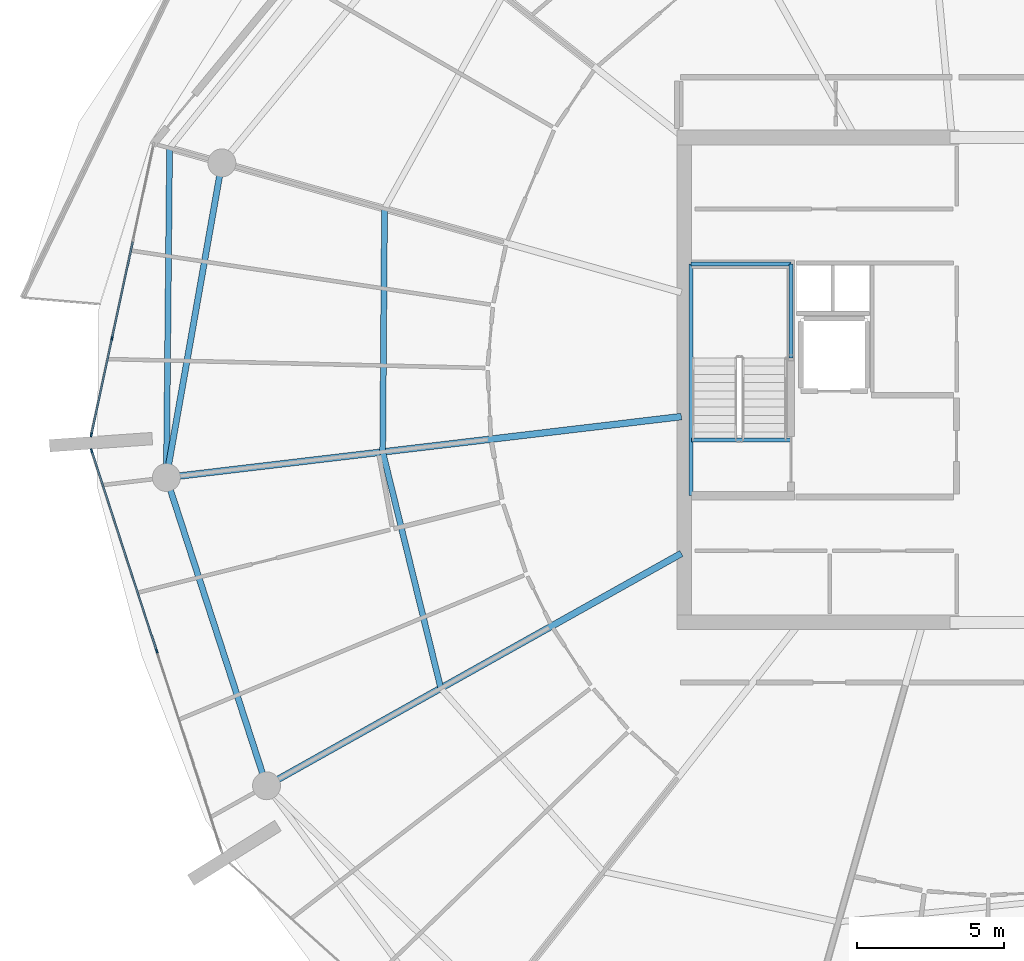
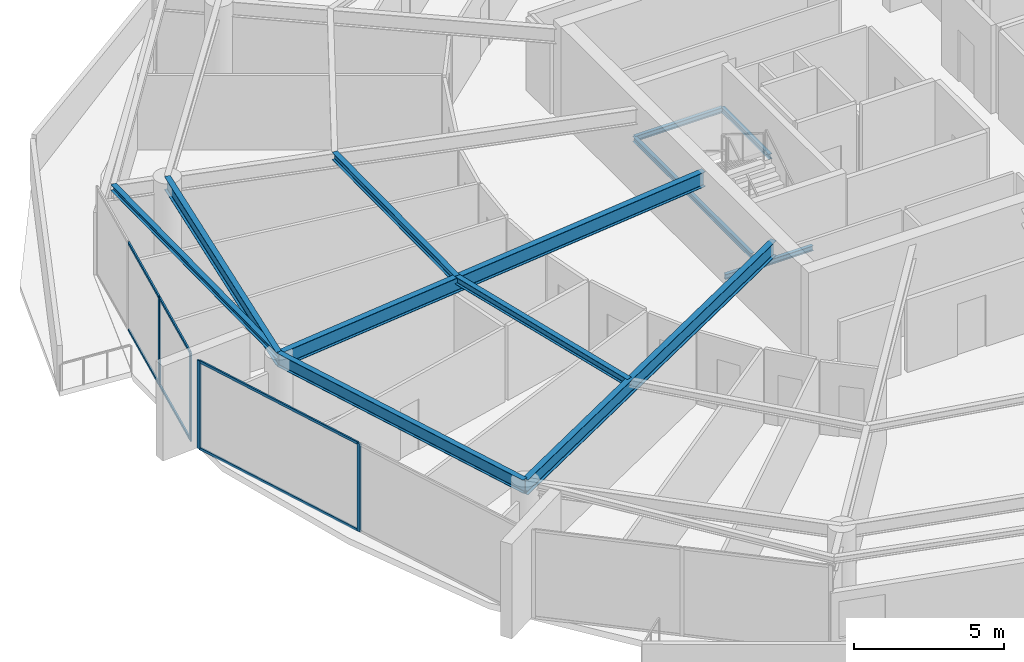
# One storey, part 8 of 30: 11 beams, 10 members, 2 elements without a shape of their own.
"""IFC4 building model written with IfcOpenShell, lengths in metres."""

from ifc_helpers import new_model, si_unit, direction, frame, origin, origin_2d, place, context, subcontext, project, spatial, rectangle, i_section, extrude, material, layer, layer_set, material_profile, profile_set, type_object, element, aggregate, save


model = new_model("IFC4")

# Units and contexts
model_context = context("Model", 3, precision=1e-05, world=origin(), true_north=direction((0.0, 1.0)))
body_context = subcontext(model_context, "Body", "Model", "MODEL_VIEW")
ifc_project = project(units=[si_unit("LENGTHUNIT", "METRE"), si_unit("AREAUNIT", "SQUARE_METRE"), si_unit("VOLUMEUNIT", "CUBIC_METRE"), si_unit("PLANEANGLEUNIT", "RADIAN"), si_unit("MASSUNIT", "GRAM", prefix="KILO")], contexts=[model_context])

# Site, building, storey
site_placement = place(None, origin())
site = spatial("IfcSite", under=ifc_project, at=site_placement, CompositionType="ELEMENT")
building_placement = place(site_placement, origin())
building = spatial("IfcBuilding", under=site, at=building_placement, Name="Kazma Halo Residences", CompositionType="ELEMENT")
storey_placement = place(building_placement, frame((0.0, 0.0, 290.60009765625)))
storey = spatial("IfcBuildingStorey", under=building, at=storey_placement, Name="L73", CompositionType="ELEMENT", Elevation=290.60009765625)

# Beams
ifc_material_1 = material(Name="Steel S355", Category="steel")
ifc_material_profile_1 = material_profile(ifc_material_1, i_section(OverallWidth=0.201904296875, OverallDepth=0.2470703125, WebThickness=0.00732421875, FlangeThickness=0.010986328125, FilletRadius=0.011962890625, at=origin_2d()), Name="W250x49.1")
ifc_profile_set_1 = profile_set([ifc_material_profile_1], Name="Steel S355")
beam_type_1 = type_object("IfcBeamType", Name="BM-BAL-CANT", PredefinedType="BEAM", material=ifc_profile_set_1)
beam_1_placement = place(storey_placement, frame((20.028564453125, 49.888916015625, 3.46630859375), z_axis=(-0.009645503464, -0.999953481049, 0.0), x_axis=(0.999953481049, -0.009645503464, 0.0)))
element("IfcBeam", 1, at=beam_1_placement, inside=storey, type_object=beam_type_1, Name="L73 wave-balcony tie beam 07", PredefinedType="BEAM", context=body_context, shape_type="SweptSolid", body=[
    extrude(i_section(OverallWidth=0.201904296875, OverallDepth=0.2470703125, WebThickness=0.00732421875, FlangeThickness=0.010986328125, FilletRadius=0.011962890625, at=origin_2d()), origin(), (0.0, 0.0, 1.0), 11.212890625),
])
ifc_material_profile_2 = material_profile(ifc_material_1, i_section(OverallWidth=0.22802734375, OverallDepth=0.60791015625, WebThickness=0.01123046875, FlangeThickness=0.017333984375, FilletRadius=0.01806640625, at=origin_2d()), Name="W610x113")
ifc_profile_set_2 = profile_set([ifc_material_profile_2], Name="Steel S355")
beam_type_2 = type_object("IfcBeamType", Name="BM-RAD-W610", PredefinedType="BEAM", material=ifc_profile_set_2)
beam_2_placement = place(storey_placement, frame((37.449951171875, 40.751220703125, 3.285888671875), z_axis=(-0.993068793341, -0.11753455531, 0.0), x_axis=(0.11753455531, -0.993068793341, 0.0)))
element("IfcBeam", 2, at=beam_2_placement, inside=storey, type_object=beam_type_2, Name="L73 radial floor beam 08", PredefinedType="BEAM", context=body_context, shape_type="SweptSolid", body=[
    extrude(i_section(OverallWidth=0.22802734375, OverallDepth=0.60791015625, WebThickness=0.01123046875, FlangeThickness=0.017333984375, FilletRadius=0.01806640625, at=origin_2d()), origin(), (0.0, 0.0, 1.0), 17.65185546875),
])
beam_3_placement = place(storey_placement, frame((37.449951171875, 36.091796875, 3.285888671875), z_axis=(-0.872497784052, -0.488618068459, 0.0), x_axis=(0.488618068459, -0.872497784052, 0.0)))
element("IfcBeam", 3, at=beam_3_placement, inside=storey, type_object=beam_type_2, Name="L73 radial floor beam 09", PredefinedType="BEAM", context=body_context, shape_type="SweptSolid", body=[
    extrude(i_section(OverallWidth=0.22802734375, OverallDepth=0.60791015625, WebThickness=0.01123046875, FlangeThickness=0.017333984375, FilletRadius=0.01806640625, at=origin_2d()), origin(), (0.0, 0.0, 1.0), 16.183837890625),
])
ifc_material_profile_3 = material_profile(ifc_material_1, i_section(OverallWidth=0.202880859375, OverallDepth=0.302978515625, WebThickness=0.007568359375, FlangeThickness=0.01318359375, FilletRadius=0.013916015625, at=origin_2d()), Name="W310x60")
ifc_profile_set_3 = profile_set([ifc_material_profile_3], Name="Steel S355")
beam_type_3 = type_object("IfcBeamType", Name="BM-SEC-W310A", PredefinedType="JOIST", material=ifc_profile_set_3)
beam_4_placement = place(storey_placement, frame((27.345458984375, 47.8251953125, 3.4384765625), z_axis=(-0.007550738936, -0.999971492764, 0.0), x_axis=(0.999971492764, -0.007550738936, 0.0)))
element("IfcBeam", 4, at=beam_4_placement, inside=storey, type_object=beam_type_3, Name="L73 circumferential floor joist 07", PredefinedType="JOIST", context=body_context, shape_type="SweptSolid", body=[
    extrude(i_section(OverallWidth=0.202880859375, OverallDepth=0.302978515625, WebThickness=0.007568359375, FlangeThickness=0.01318359375, FilletRadius=0.013916015625, at=origin_2d()), origin(), (0.0, 0.0, 1.0), 8.27734375),
])
beam_5_placement = place(storey_placement, frame((27.282958984375, 39.548095703125, 3.4384765625), z_axis=(0.238732984375, -0.971085249693, 0.0), x_axis=(0.971085249693, 0.238732984375, 0.0)))
element("IfcBeam", 5, at=beam_5_placement, inside=storey, type_object=beam_type_3, Name="L73 circumferential floor joist 08", PredefinedType="JOIST", context=body_context, shape_type="SweptSolid", body=[
    extrude(i_section(OverallWidth=0.202880859375, OverallDepth=0.302978515625, WebThickness=0.007568359375, FlangeThickness=0.01318359375, FilletRadius=0.013916015625, at=origin_2d()), origin(), (0.0, 0.0, 1.0), 8.282470703125),
])
ifc_material_profile_4 = material_profile(ifc_material_1, i_section(OverallWidth=0.208984375, OverallDepth=0.532958984375, WebThickness=0.01025390625, FlangeThickness=0.015625, FilletRadius=0.01611328125, at=origin_2d()), Name="W530x92")
ifc_profile_set_4 = profile_set([ifc_material_profile_4], Name="Steel S355")
beam_type_4 = type_object("IfcBeamType", Name="BM-SPN-W530", PredefinedType="BEAM", material=ifc_profile_set_4)
beam_6_placement = place(storey_placement, frame((21.80908203125, 49.38671875, 3.323486328125), z_axis=(-0.173663672311, -0.984805020763, 0.0), x_axis=(0.984805020763, -0.173663672311, 0.0)))
element("IfcBeam", 6, at=beam_6_placement, inside=storey, type_object=beam_type_4, Name="L73 perimeter ring beam 07", PredefinedType="BEAM", context=body_context, shape_type="SweptSolid", body=[
    extrude(i_section(OverallWidth=0.208984375, OverallDepth=0.532958984375, WebThickness=0.01025390625, FlangeThickness=0.015625, FilletRadius=0.01611328125, at=origin_2d()), origin(), (0.0, 0.0, 1.0), 10.87548828125),
])
beam_7_placement = place(storey_placement, frame((19.92041015625, 38.676513671875, 3.323486328125), z_axis=(0.309015517474, -0.951056996168, 0.0), x_axis=(0.951056996168, 0.309015517474, 0.0)))
element("IfcBeam", 7, at=beam_7_placement, inside=storey, type_object=beam_type_4, Name="L73 perimeter ring beam 08", PredefinedType="BEAM", context=body_context, shape_type="SweptSolid", body=[
    extrude(i_section(OverallWidth=0.208984375, OverallDepth=0.532958984375, WebThickness=0.01025390625, FlangeThickness=0.015625, FilletRadius=0.01611328125, at=origin_2d()), origin(), (0.0, 0.0, 1.0), 11.032470703125),
])
ifc_material_profile_5 = material_profile(ifc_material_1, i_section(OverallWidth=0.133056640625, OverallDepth=0.20703125, WebThickness=0.005859375, FlangeThickness=0.00830078125, FilletRadius=0.010009765625, at=origin_2d()), Name="W200x26.6")
ifc_profile_set_5 = profile_set([ifc_material_profile_5], Name="Steel S355")
beam_type_5 = type_object("IfcBeamType", Name="BM-TRIM-W200", PredefinedType="BEAM", material=ifc_profile_set_5)
beam_8_placement = place(storey_placement, frame((37.800048828125, 39.949951171875, -0.3701171875), z_axis=(1.0, 0.0, 0.0), x_axis=(0.0, 1.0, 0.0)))
element("IfcBeam", 8, at=beam_8_placement, inside=storey, type_object=beam_type_5, Name="L73 ST-01 floor landing support beam", PredefinedType="BEAM", context=body_context, shape_type="SweptSolid", body=[
    extrude(i_section(OverallWidth=0.133056640625, OverallDepth=0.20703125, WebThickness=0.005859375, FlangeThickness=0.00830078125, FilletRadius=0.010009765625, at=origin_2d()), origin(), (0.0, 0.0, 1.0), 3.3798828125),
])
beam_9_placement = place(storey_placement, frame((37.780029296875, 38.06005859375, 1.619873046875), z_axis=(0.0, 1.0, 0.0), x_axis=(-1.0, 0.0, 0.0)))
element("IfcBeam", 9, at=beam_9_placement, inside=storey, type_object=beam_type_5, Name="L73 ST-01 landing west wall ledger", PredefinedType="BEAM", context=body_context, shape_type="SweptSolid", body=[
    extrude(i_section(OverallWidth=0.133056640625, OverallDepth=0.20703125, WebThickness=0.005859375, FlangeThickness=0.00830078125, FilletRadius=0.010009765625, at=origin_2d()), origin(), (0.0, 0.0, 1.0), 7.8798828125),
])
beam_10_placement = place(storey_placement, frame((41.179931640625, 42.75, 1.619873046875), z_axis=(0.0, 1.0, 0.0), x_axis=(-1.0, 0.0, 0.0)))
element("IfcBeam", 10, at=beam_10_placement, inside=storey, type_object=beam_type_5, Name="L73 ST-01 landing east wall ledger", PredefinedType="BEAM", context=body_context, shape_type="SweptSolid", body=[
    extrude(i_section(OverallWidth=0.133056640625, OverallDepth=0.20703125, WebThickness=0.005859375, FlangeThickness=0.00830078125, FilletRadius=0.010009765625, at=origin_2d()), origin(), (0.0, 0.0, 1.0), 3.18994140625),
])
beam_11_placement = place(storey_placement, frame((37.780029296875, 45.93994140625, 1.619873046875), z_axis=(1.0, 0.0, 0.0), x_axis=(0.0, 1.0, 0.0)))
element("IfcBeam", 11, at=beam_11_placement, inside=storey, type_object=beam_type_5, Name="L73 ST-01 landing end wall ledger", PredefinedType="BEAM", context=body_context, shape_type="SweptSolid", body=[
    extrude(i_section(OverallWidth=0.133056640625, OverallDepth=0.20703125, WebThickness=0.005859375, FlangeThickness=0.00830078125, FilletRadius=0.010009765625, at=origin_2d()), origin(), (0.0, 0.0, 1.0), 3.39990234375),
])

# Curtain wall, members
ifc_material_2 = material(Name="Aluminium AW-6063 T6 and Triple-Silver Low-E Glass", Category="aluminium")
ifc_layer = layer(ifc_material_2, 0.139892578125)
ifc_layer_set = layer_set([ifc_layer], Name="Aluminium AW-6063 T6 and Triple-Silver Low-E Glass")
curtain_wall_type = type_object("IfcCurtainWallType", Name="CW-SYS-5", PredefinedType="NOTDEFINED", material=ifc_layer_set)
curtain_wall_1_placement = place(storey_placement, origin())
curtain_wall_1 = element("IfcCurtainWall", 12, at=curtain_wall_1_placement, inside=storey, type_object=curtain_wall_type, Name="L73 unitised curtain wall B07", PredefinedType="NOTDEFINED")
ifc_material_3 = material(Name="Aluminium AW-6063 T6", Category="aluminium")
ifc_material_profile_6 = material_profile(ifc_material_3, rectangle(XDim=0.06005859375, YDim=0.139892578125, at=origin_2d()), Name="CWM-60x140")
ifc_profile_set_6 = profile_set([ifc_material_profile_6], Name="Aluminium AW-6063 T6")
member_type_1 = type_object("IfcMemberType", Name="CW-SYS-5-MUL", PredefinedType="MULLION", material=ifc_profile_set_6)
member_1_placement = place(storey_placement, frame((18.0703125, 43.412841796875, 0.0), z_axis=(0.0, 0.0, 1.0), x_axis=(0.97777491373, -0.209657382603, 0.0)))
member_1 = element("IfcMember", 13, at=member_1_placement, type_object=member_type_1, Name="CWS-5 mullion 3", PredefinedType="MULLION", context=body_context, shape_type="SweptSolid", body=[
    extrude(rectangle(XDim=0.06005859375, YDim=0.139892578125, at=origin_2d()), origin(), (0.0, 0.0, 1.0), 3.58984375),
])
member_2_placement = place(storey_placement, frame((17.3662109375, 40.12841796875, 0.0), z_axis=(0.0, 0.0, 1.0), x_axis=(0.97777491373, -0.209657382603, 0.0)))
member_2 = element("IfcMember", 14, at=member_2_placement, type_object=member_type_1, Name="CWS-5 mullion 4", PredefinedType="MULLION", context=body_context, shape_type="SweptSolid", body=[
    extrude(rectangle(XDim=0.06005859375, YDim=0.139892578125, at=origin_2d()), origin(), (0.0, 0.0, 1.0), 3.58984375),
])

curtain_wall_2_placement = place(storey_placement, origin())
curtain_wall_2 = element("IfcCurtainWall", 15, at=curtain_wall_2_placement, inside=storey, type_object=curtain_wall_type, Name="L73 unitised curtain wall B08", PredefinedType="NOTDEFINED")
member_3_placement = place(storey_placement, frame((17.377197265625, 39.587646484375, 0.0), z_axis=(0.0, 0.0, 1.0), x_axis=(0.951058464359, 0.309010998786, 0.0)))
member_3 = element("IfcMember", 16, at=member_3_placement, type_object=member_type_1, Name="CWS-5 mullion 1", PredefinedType="MULLION", context=body_context, shape_type="SweptSolid", body=[
    extrude(rectangle(XDim=0.06005859375, YDim=0.139892578125, at=origin_2d()), origin(), (0.0, 0.0, 1.0), 3.58984375),
])
member_4_placement = place(storey_placement, frame((19.59228515625, 32.769775390625, 0.0), z_axis=(0.0, 0.0, 1.0), x_axis=(0.951058464359, 0.309010998786, 0.0)))
member_4 = element("IfcMember", 17, at=member_4_placement, type_object=member_type_1, Name="CWS-5 mullion 2", PredefinedType="MULLION", context=body_context, shape_type="SweptSolid", body=[
    extrude(rectangle(XDim=0.06005859375, YDim=0.139892578125, at=origin_2d()), origin(), (0.0, 0.0, 1.0), 3.58984375),
])

# Member
ifc_material_profile_7 = material_profile(ifc_material_3, rectangle(XDim=0.06005859375, YDim=0.10498046875, at=origin_2d()), Name="CWT-60x105")
ifc_profile_set_7 = profile_set([ifc_material_profile_7], Name="Aluminium AW-6063 T6")
member_type_2 = type_object("IfcMemberType", Name="CW-SYS-5-TRN", PredefinedType="USERDEFINED", material=ifc_profile_set_7)
member_5_placement = place(storey_placement, frame((18.774658203125, 46.697265625, 0.02978515625), z_axis=(-0.209664309019, -0.977773428522, 0.0), x_axis=(0.977773428522, -0.209664309019, 0.0)))
member_5 = element("IfcMember", 18, at=member_5_placement, type_object=member_type_2, Name="CWS-5 transom 2.1", ObjectType="TRANSOM", PredefinedType="USERDEFINED", context=body_context, shape_type="SweptSolid", body=[
    extrude(rectangle(XDim=0.06005859375, YDim=0.10498046875, at=origin_2d()), origin(), (0.0, 0.0, 1.0), 3.3291015625),
])

member_6_placement = place(storey_placement, frame((18.774658203125, 46.697265625, 3.559814453125), z_axis=(-0.209664309019, -0.977773428522, 0.0), x_axis=(0.977773428522, -0.209664309019, 0.0)))
member_6 = element("IfcMember", 19, at=member_6_placement, type_object=member_type_2, Name="CWS-5 transom 2.2", ObjectType="TRANSOM", PredefinedType="USERDEFINED", context=body_context, shape_type="SweptSolid", body=[
    extrude(rectangle(XDim=0.06005859375, YDim=0.10498046875, at=origin_2d()), origin(), (0.0, 0.0, 1.0), 3.3291015625),
])

member_7_placement = place(storey_placement, frame((18.064208984375, 43.383544921875, 0.02978515625), z_axis=(-0.209645323239, -0.977777499457, 0.0), x_axis=(0.977777499457, -0.209645323239, 0.0)))
member_7 = element("IfcMember", 20, at=member_7_placement, type_object=member_type_2, Name="CWS-5 transom 3.1", ObjectType="TRANSOM", PredefinedType="USERDEFINED", context=body_context, shape_type="SweptSolid", body=[
    extrude(rectangle(XDim=0.06005859375, YDim=0.10498046875, at=origin_2d()), origin(), (0.0, 0.0, 1.0), 3.299072265625),
])

member_8_placement = place(storey_placement, frame((18.064208984375, 43.383544921875, 3.559814453125), z_axis=(-0.209645323239, -0.977777499457, 0.0), x_axis=(0.977777499457, -0.209645323239, 0.0)))
member_8 = element("IfcMember", 21, at=member_8_placement, type_object=member_type_2, Name="CWS-5 transom 3.2", ObjectType="TRANSOM", PredefinedType="USERDEFINED", context=body_context, shape_type="SweptSolid", body=[
    extrude(rectangle(XDim=0.06005859375, YDim=0.10498046875, at=origin_2d()), origin(), (0.0, 0.0, 1.0), 3.299072265625),
])

aggregate(curtain_wall_1, [member_1, member_2, member_5, member_6, member_7, member_8])

member_9_placement = place(storey_placement, frame((17.386474609375, 39.55908203125, 0.02978515625), z_axis=(0.308995987448, -0.951063341603, 0.0), x_axis=(0.951063341603, 0.308995987448, 0.0)))
member_9 = element("IfcMember", 22, at=member_9_placement, type_object=member_type_2, Name="CWS-5 transom 1.1", ObjectType="TRANSOM", PredefinedType="USERDEFINED", context=body_context, shape_type="SweptSolid", body=[
    extrude(rectangle(XDim=0.06005859375, YDim=0.10498046875, at=origin_2d()), origin(), (0.0, 0.0, 1.0), 7.108642578125),
])

member_10_placement = place(storey_placement, frame((17.386474609375, 39.55908203125, 3.559814453125), z_axis=(0.308995987448, -0.951063341603, 0.0), x_axis=(0.951063341603, 0.308995987448, 0.0)))
member_10 = element("IfcMember", 23, at=member_10_placement, type_object=member_type_2, Name="CWS-5 transom 1.2", ObjectType="TRANSOM", PredefinedType="USERDEFINED", context=body_context, shape_type="SweptSolid", body=[
    extrude(rectangle(XDim=0.06005859375, YDim=0.10498046875, at=origin_2d()), origin(), (0.0, 0.0, 1.0), 7.108642578125),
])

aggregate(curtain_wall_2, [member_3, member_4, member_9, member_10])

save(model, "model.ifc")
